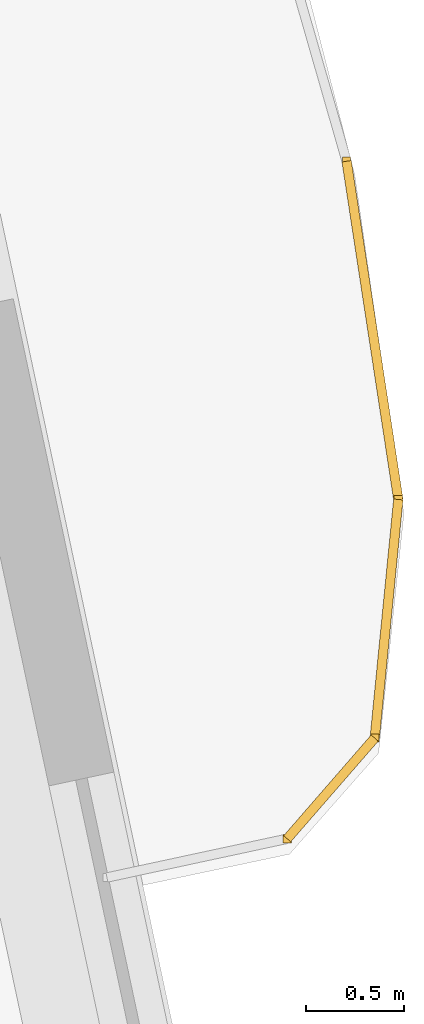
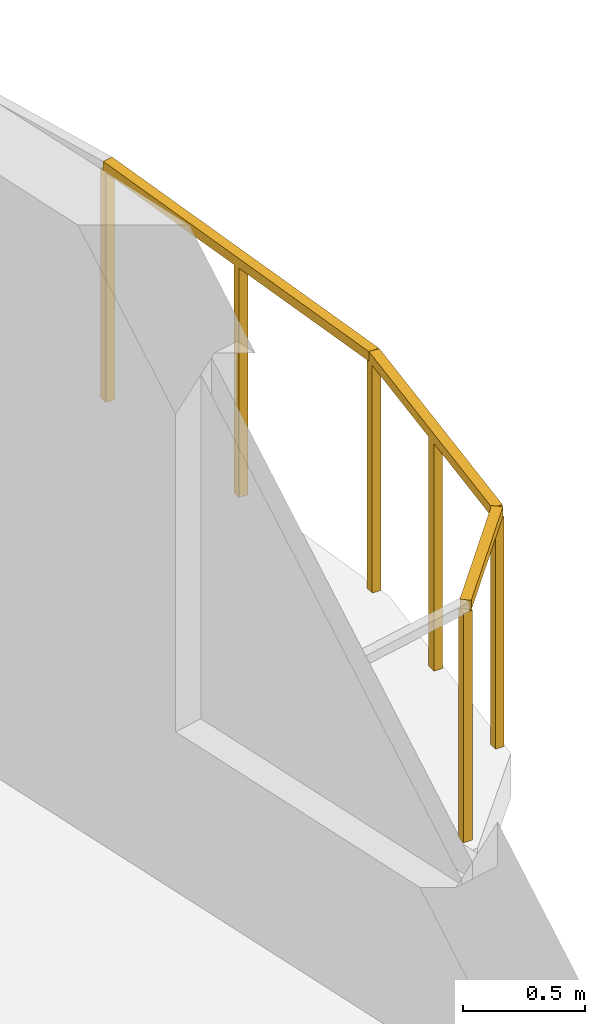
# One storey, part 18 of 18: 3 railings.
"""IFC4 building model written with IfcOpenShell, lengths in metres."""

from ifc_helpers import new_model, si_unit, direction, frame, origin, origin_2d, place, context, subcontext, project, spatial, rectangle, extrude, material, type_object, element, save


model = new_model("IFC4")

# Units and contexts
model_context = context("Model", 3, precision=1e-05, world=origin(), true_north=direction((0.0, 1.0)))
body_context = subcontext(model_context, "Body", "Model", "MODEL_VIEW")
ifc_project = project(units=[si_unit("LENGTHUNIT", "METRE"), si_unit("AREAUNIT", "SQUARE_METRE"), si_unit("VOLUMEUNIT", "CUBIC_METRE"), si_unit("PLANEANGLEUNIT", "RADIAN"), si_unit("MASSUNIT", "GRAM", prefix="KILO")], contexts=[model_context])

# Site, building, storey
site_placement = place(None, origin())
site = spatial("IfcSite", under=ifc_project, at=site_placement, CompositionType="ELEMENT")
building_placement = place(site_placement, origin())
building = spatial("IfcBuilding", under=site, at=building_placement, Name="Haevon Station Towers", CompositionType="ELEMENT")
storey_placement = place(building_placement, frame((0.0, 0.0, 60.300048828125)))
storey = spatial("IfcBuildingStorey", under=building, at=storey_placement, Name="L15", CompositionType="ELEMENT", Elevation=60.300048828125)

# Railings
ifc_material = material(Name="Steel S355", Category="steel")
railing_type = type_object("IfcRailingType", Name="GRD-EXT1200", PredefinedType="GUARDRAIL", material=ifc_material)
railing_1_placement = place(storey_placement, frame((137.17138671875, 29.205078125, 0.0)))
element("IfcRailing", 1, at=railing_1_placement, inside=storey, type_object=railing_type, Name="L15 Perimeter Guardrail 2", PredefinedType="GUARDRAIL", context=body_context, shape_type="SweptSolid", body=[
    extrude(rectangle(XDim=0.048095703125, YDim=0.048095703125, at=origin_2d()), frame((0.0, 0.0, 1.17578125), z_axis=(0.656045934277, 0.754720963084, 0.0), x_axis=(-0.754720963084, 0.656045934277, 0.0)), (0.0, 0.0, 1.0), 0.682861328125),
    extrude(rectangle(XDim=0.0419921875, YDim=0.0419921875, at=origin_2d()), origin(), (0.0, 0.0, 1.0), 1.15185546875),
    extrude(rectangle(XDim=0.0419921875, YDim=0.0419921875, at=origin_2d()), frame((0.447998046875, 0.515380859375, 0.0)), (0.0, 0.0, 1.0), 1.15185546875),
])
railing_2_placement = place(storey_placement, frame((137.619384765625, 29.720458984375, 0.0)))
element("IfcRailing", 2, at=railing_2_placement, inside=storey, type_object=railing_type, Name="L15 Perimeter Guardrail 3", PredefinedType="GUARDRAIL", context=body_context, shape_type="SweptSolid", body=[
    extrude(rectangle(XDim=0.048095703125, YDim=0.048095703125, at=origin_2d()), frame((0.0, 0.0, 1.17578125), z_axis=(0.098459885115, 0.995141020671, 0.0), x_axis=(-0.995141020671, 0.098459885115, 0.0)), (0.0, 0.0, 1.0), 1.227294921875),
    extrude(rectangle(XDim=0.0419921875, YDim=0.0419921875, at=origin_2d()), origin(), (0.0, 0.0, 1.0), 1.15185546875),
    extrude(rectangle(XDim=0.0419921875, YDim=0.0419921875, at=origin_2d()), frame((0.060546875, 0.61083984375, 0.0)), (0.0, 0.0, 1.0), 1.15185546875),
    extrude(rectangle(XDim=0.0419921875, YDim=0.0419921875, at=origin_2d()), frame((0.120849609375, 1.221435546875, 0.0)), (0.0, 0.0, 1.0), 1.15185546875),
])
railing_3_placement = place(storey_placement, frame((137.740234375, 30.94189453125, 0.0)))
element("IfcRailing", 3, at=railing_3_placement, inside=storey, type_object=railing_type, Name="L15 Perimeter Guardrail 4", PredefinedType="GUARDRAIL", context=body_context, shape_type="SweptSolid", body=[
    extrude(rectangle(XDim=0.048095703125, YDim=0.048095703125, at=origin_2d()), frame((0.0, 0.0, 1.17578125), z_axis=(-0.151114322606, 0.988516292988, 0.0), x_axis=(-0.988516292988, -0.151114322606, 0.0)), (0.0, 0.0, 1.0), 1.751220703125),
    extrude(rectangle(XDim=0.0419921875, YDim=0.0419921875, at=origin_2d()), origin(), (0.0, 0.0, 1.0), 1.15185546875),
    extrude(rectangle(XDim=0.0419921875, YDim=0.0419921875, at=origin_2d()), frame((-0.13232421875, 0.86572265625, 0.0)), (0.0, 0.0, 1.0), 1.15185546875),
    extrude(rectangle(XDim=0.0419921875, YDim=0.0419921875, at=origin_2d()), frame((-0.2646484375, 1.731201171875, 0.0)), (0.0, 0.0, 1.0), 1.15185546875),
])

save(model, "model.ifc")
